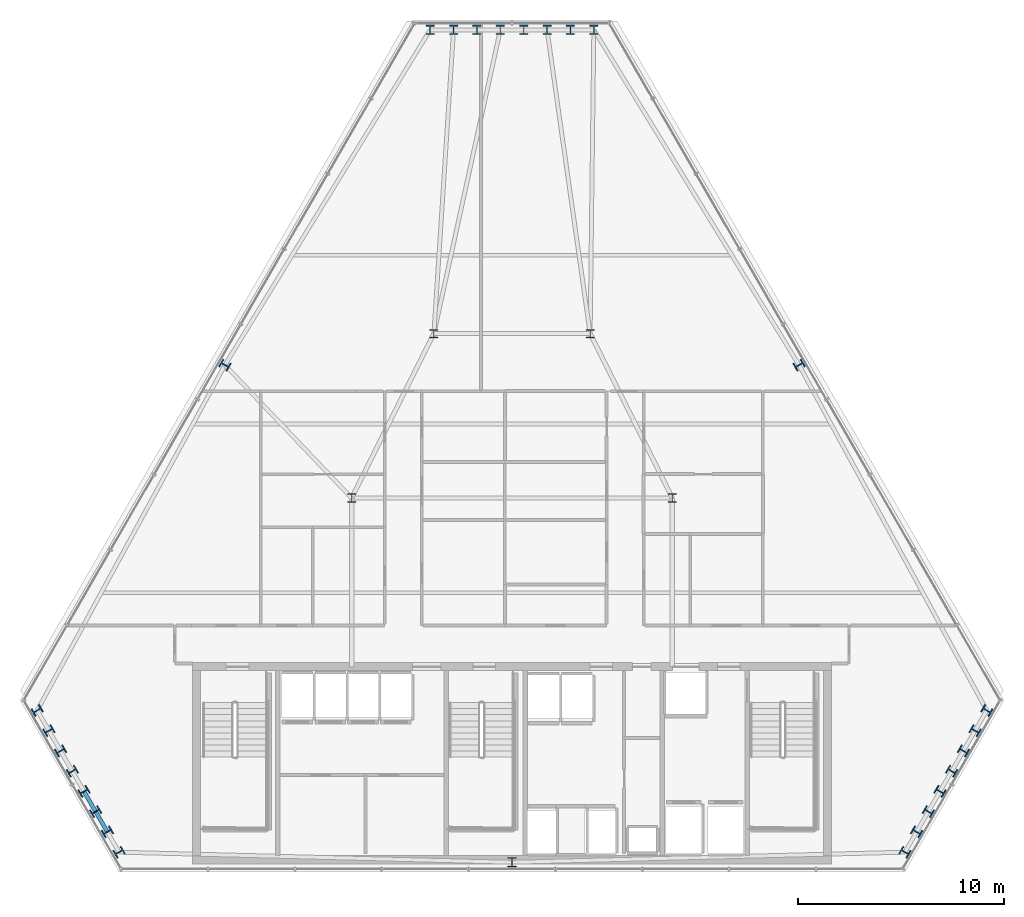
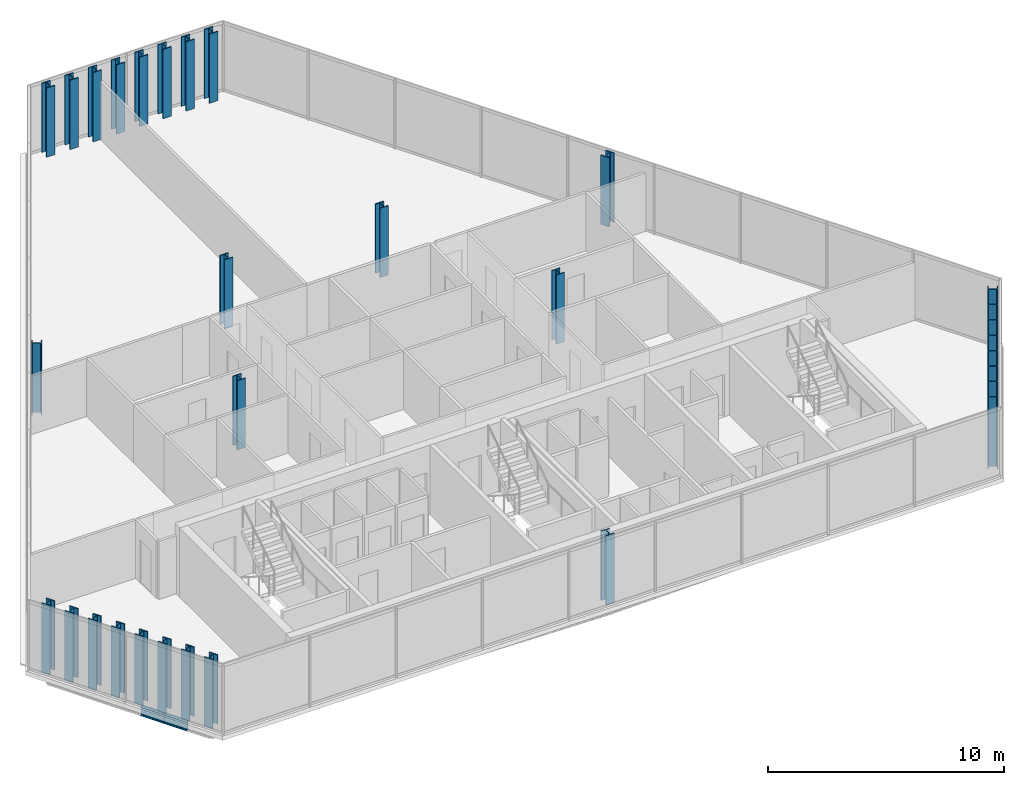
# One storey, part 1 of 33: 31 columns, 2 beams.
"""IFC4 building model written with IfcOpenShell, lengths in metres."""

from ifc_helpers import new_model, si_unit, direction, frame, origin, origin_2d, place, context, subcontext, project, spatial, i_section, extrude, material, material_profile, profile_set, type_object, element, save


model = new_model("IFC4")

# Units and contexts
model_context = context("Model", 3, precision=1e-05, world=origin(), true_north=direction((0.0, 1.0)))
body_context = subcontext(model_context, "Body", "Model", "MODEL_VIEW")
ifc_project = project(units=[si_unit("LENGTHUNIT", "METRE"), si_unit("AREAUNIT", "SQUARE_METRE"), si_unit("VOLUMEUNIT", "CUBIC_METRE"), si_unit("PLANEANGLEUNIT", "RADIAN"), si_unit("MASSUNIT", "GRAM", prefix="KILO")], contexts=[model_context])

# Site, building, storey
site_placement = place(None, origin())
site = spatial("IfcSite", under=ifc_project, at=site_placement, CompositionType="ELEMENT")
building_placement = place(site_placement, origin())
building = spatial("IfcBuilding", under=site, at=building_placement, Name="Ndaravel Arena Tower", CompositionType="ELEMENT")
storey_placement = place(building_placement, frame((0.0, 0.0, 184.0)))
storey = spatial("IfcBuildingStorey", under=building, at=storey_placement, Name="L44", CompositionType="ELEMENT", Elevation=184.0)

# Columns
ifc_material_1 = material(Name="Steel S355", Category="steel")
ifc_material_profile_1 = material_profile(ifc_material_1, i_section(OverallWidth=0.406982421875, OverallDepth=0.4189453125, WebThickness=0.030517578125, FlangeThickness=0.04931640625, FilletRadius=0.01513671875, at=origin_2d()), Name="UC 356x406x393")
ifc_profile_set_1 = profile_set([ifc_material_profile_1], Name="Steel S355")
column_type_1 = type_object("IfcColumnType", Name="COL-INT-UC393", PredefinedType="COLUMN", material=ifc_profile_set_1)
for number, where, z_axis, x_axis, name in (
    (1, (34.199951171875, 23.199951171875, 0.0), (0.0, 0.0, 1.0), (1.0, 0.0, 0.0), "L44 Interior Spine Column IC-01"),
    (2, (49.800048828125, 23.199951171875, 0.0), (0.0, 0.0, 1.0), (1.0, 0.0, 0.0), "L44 Interior Spine Column IC-02"),
    (3, (38.199951171875, 31.199951171875, 0.0), (0.0, 0.0, 1.0), (1.0, 0.0, 0.0), "L44 Interior Spine Column IC-03"),
    (4, (45.800048828125, 31.199951171875, 0.0), (0.0, 0.0, 1.0), (1.0, 0.0, 0.0), "L44 Interior Spine Column IC-04"),
):
    element("IfcColumn", number, at=place(storey_placement, frame(where, z_axis=z_axis, x_axis=x_axis)), inside=storey, type_object=column_type_1, Name=name, PredefinedType="COLUMN", context=body_context, shape_type="SweptSolid", body=[
        extrude(i_section(OverallWidth=0.406982421875, OverallDepth=0.4189453125, WebThickness=0.030517578125, FlangeThickness=0.04931640625, FilletRadius=0.01513671875, at=origin_2d()), origin(), (0.0, 0.0, 1.0), 3.580078125),
    ])
ifc_material_2 = material(Name="Steel S355", Category="steel")
ifc_material_profile_2 = material_profile(ifc_material_2, i_section(OverallWidth=0.41796875, OverallDepth=0.455078125, WebThickness=0.0419921875, FlangeThickness=0.052001953125, FilletRadius=0.014892578125, at=origin_2d()), Name="HD 400x551")
ifc_profile_set_2 = profile_set([ifc_material_profile_2], Name="Steel S355")
column_type_2 = type_object("IfcColumnType", Name="COL-TUBE-HD551", PredefinedType="COLUMN", material=ifc_profile_set_2)
for number, where, z_axis, x_axis, name in (
    (5, (42.0, 5.47998046875, 0.0), (0.0, 0.0, 1.0), (1.0, 0.0, 0.0), "L44 Framed Tube Column TC-01"),
    (6, (61.113525390625, 5.972412109375, 0.0), (0.0, 0.0, 1.0), (0.5, 0.866025403784, 0.0), "L44 Framed Tube Column TC-02"),
    (7, (61.68212890625, 6.95751953125, 0.0), (0.0, 0.0, 1.0), (0.5, 0.866025403784, 0.0), "L44 Framed Tube Column TC-03"),
    (8, (62.250732421875, 7.9423828125, 0.0), (0.0, 0.0, 1.0), (0.5, 0.866025403784, 0.0), "L44 Framed Tube Column TC-04"),
    (9, (62.8193359375, 8.92724609375, 0.0), (0.0, 0.0, 1.0), (0.5, 0.866025403784, 0.0), "L44 Framed Tube Column TC-05"),
    (10, (63.38818359375, 9.912109375, 0.0), (0.0, 0.0, 1.0), (0.5, 0.866025403784, 0.0), "L44 Framed Tube Column TC-06"),
    (11, (63.956787109375, 10.897216796875, 0.0), (0.0, 0.0, 1.0), (0.5, 0.866025403784, 0.0), "L44 Framed Tube Column TC-07"),
    (12, (64.525390625, 11.882080078125, 0.0), (0.0, 0.0, 1.0), (0.5, 0.866025403784, 0.0), "L44 Framed Tube Column TC-08"),
    (13, (65.093994140625, 12.866943359375, 0.0), (0.0, 0.0, 1.0), (0.5, 0.866025403784, 0.0), "L44 Framed Tube Column TC-09"),
    (14, (55.963623046875, 29.666015625, 0.0), (0.0, 0.0, 1.0), (-0.5, 0.866025403784, 0.0), "L44 Framed Tube Column TC-10"),
    (15, (45.980712890625, 45.97265625, 0.0), (0.0, 0.0, 1.0), (1.0, 0.0, 0.0), "L44 Framed Tube Column TC-11"),
    (16, (44.84326171875, 45.97265625, 0.0), (0.0, 0.0, 1.0), (1.0, 0.0, 0.0), "L44 Framed Tube Column TC-12"),
    (17, (43.7060546875, 45.97265625, 0.0), (0.0, 0.0, 1.0), (1.0, 0.0, 0.0), "L44 Framed Tube Column TC-13"),
    (18, (42.568603515625, 45.97265625, 0.0), (0.0, 0.0, 1.0), (1.0, 0.0, 0.0), "L44 Framed Tube Column TC-14"),
    (19, (41.431396484375, 45.97265625, 0.0), (0.0, 0.0, 1.0), (1.0, 0.0, 0.0), "L44 Framed Tube Column TC-15"),
    (20, (40.2939453125, 45.97265625, 0.0), (0.0, 0.0, 1.0), (1.0, 0.0, 0.0), "L44 Framed Tube Column TC-16"),
    (21, (39.15673828125, 45.97265625, 0.0), (0.0, 0.0, 1.0), (1.0, 0.0, 0.0), "L44 Framed Tube Column TC-17"),
    (22, (38.019287109375, 45.97265625, 0.0), (0.0, 0.0, 1.0), (1.0, 0.0, 0.0), "L44 Framed Tube Column TC-18"),
    (23, (28.036376953125, 29.666015625, 0.0), (0.0, 0.0, 1.0), (0.5, 0.866025403784, 0.0), "L44 Framed Tube Column TC-19"),
    (24, (18.906005859375, 12.866943359375, 0.0), (0.0, 0.0, 1.0), (-0.5, 0.866025403784, 0.0), "L44 Framed Tube Column TC-20"),
    (25, (19.474609375, 11.882080078125, 0.0), (0.0, 0.0, 1.0), (-0.5, 0.866025403784, 0.0), "L44 Framed Tube Column TC-21"),
    (26, (20.043212890625, 10.897216796875, 0.0), (0.0, 0.0, 1.0), (-0.5, 0.866025403784, 0.0), "L44 Framed Tube Column TC-22"),
    (27, (20.61181640625, 9.912109375, 0.0), (0.0, 0.0, 1.0), (-0.5, 0.866025403784, 0.0), "L44 Framed Tube Column TC-23"),
    (28, (21.1806640625, 8.92724609375, 0.0), (0.0, 0.0, 1.0), (-0.5, 0.866025403784, 0.0), "L44 Framed Tube Column TC-24"),
    (29, (21.749267578125, 7.9423828125, 0.0), (0.0, 0.0, 1.0), (-0.5, 0.866025403784, 0.0), "L44 Framed Tube Column TC-25"),
    (30, (22.31787109375, 6.95751953125, 0.0), (0.0, 0.0, 1.0), (-0.5, 0.866025403784, 0.0), "L44 Framed Tube Column TC-26"),
    (31, (22.886474609375, 5.972412109375, 0.0), (0.0, 0.0, 1.0), (-0.5, 0.866025403784, 0.0), "L44 Framed Tube Column TC-27"),
):
    element("IfcColumn", number, at=place(storey_placement, frame(where, z_axis=z_axis, x_axis=x_axis)), inside=storey, type_object=column_type_2, Name=name, PredefinedType="COLUMN", context=body_context, shape_type="SweptSolid", body=[
        extrude(i_section(OverallWidth=0.41796875, OverallDepth=0.455078125, WebThickness=0.0419921875, FlangeThickness=0.052001953125, FilletRadius=0.014892578125, at=origin_2d()), origin(), (0.0, 0.0, 1.0), 3.580078125),
    ])

# Beams
ifc_material_3 = material(Name="Steel S355", Category="steel")
ifc_material_profile_3 = material_profile(ifc_material_3, i_section(OverallWidth=0.18994140625, OverallDepth=0.449951171875, WebThickness=0.009521484375, FlangeThickness=0.0146484375, FilletRadius=0.02099609375, at=origin_2d()), Name="IPE 450")
ifc_profile_set_3 = profile_set([ifc_material_profile_3], Name="Steel S355")
beam_type = type_object("IfcBeamType", Name="BM-SPAN-IPE450", PredefinedType="SPANDREL", material=ifc_profile_set_3)
for number, where, z_axis, x_axis, name in (
    (32, (21.1806640625, 8.92724609375, -0.445068359375), (0.499995010897, -0.866028284225, 0.0), (0.866028284225, 0.499995010897, 0.0), "L44 Perimeter Spandrel Beam SP-24"),
    (33, (21.749267578125, 7.9423828125, -0.445068359375), (0.499995010897, -0.866028284225, 0.0), (0.866028284225, 0.499995010897, 0.0), "L44 Perimeter Spandrel Beam SP-25"),
):
    element("IfcBeam", number, at=place(storey_placement, frame(where, z_axis=z_axis, x_axis=x_axis)), inside=storey, type_object=beam_type, Name=name, PredefinedType="SPANDREL", context=body_context, shape_type="SweptSolid", body=[
        extrude(i_section(OverallWidth=0.18994140625, OverallDepth=0.449951171875, WebThickness=0.009521484375, FlangeThickness=0.0146484375, FilletRadius=0.02099609375, at=origin_2d()), origin(), (0.0, 0.0, 1.0), 1.13720703125),
    ])

save(model, "model.ifc")
